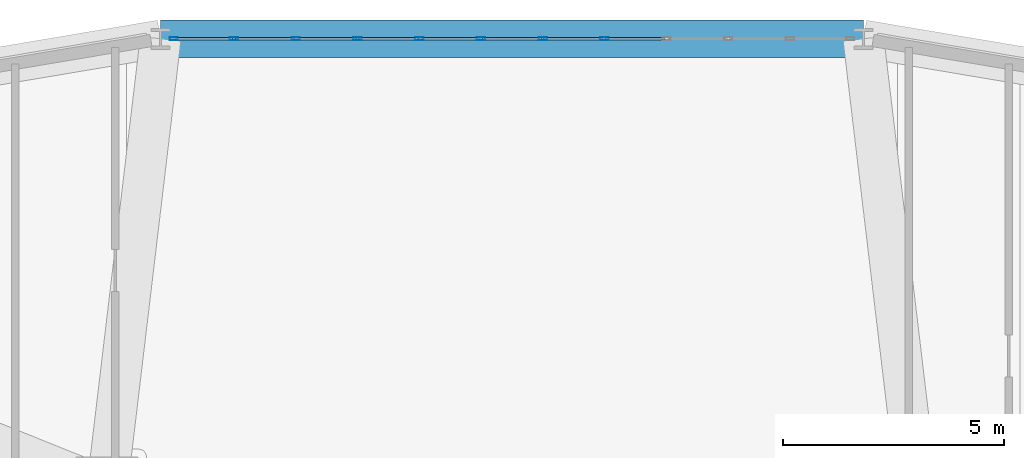
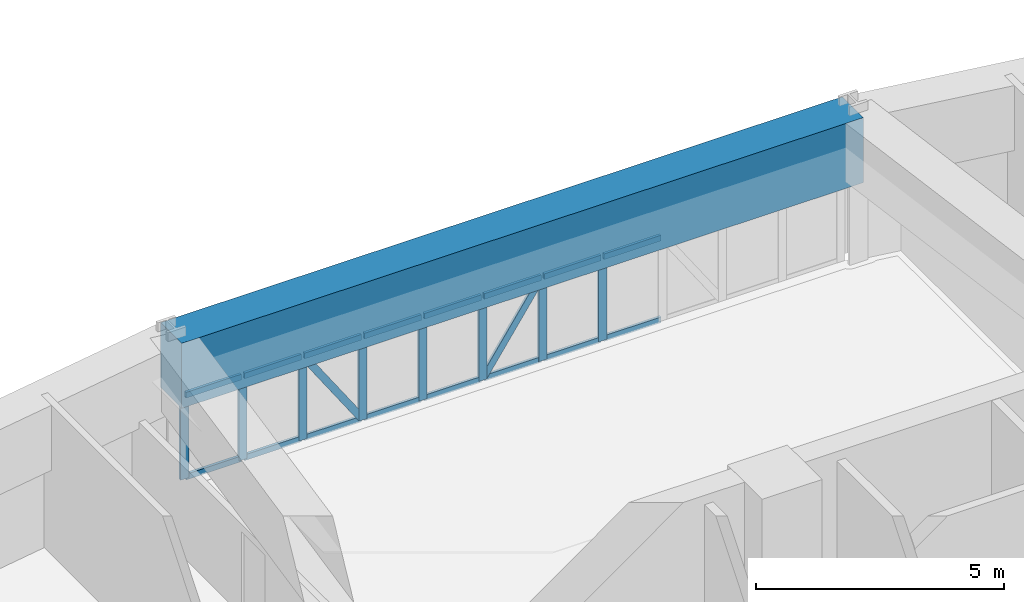
# One storey, part 11 of 20: 26 members, 1 beam, 1 element without a shape of its own.
"""IFC4 building model written with IfcOpenShell, lengths in metres."""

import ifcopenshell
import ifcopenshell.guid

model = None  # the IFC model being written
_history = None  # IfcOwnerHistory: only IFC2X3 demands one
_inside = {}  # id of a spatial element -> (the spatial element, [elements in it])
_under = {}  # id of a project, library or spatial element -> (it, [spatial elements below it])
_declared = {}  # id of a project -> (the project, [libraries it declares])
_typed = {}  # id of a type object -> (the type object, [elements of that type])
_made_of = {}  # id of a material, layer set ... -> (it, [elements and type objects made of it])


def new_model(schema):
    """Start an empty IFC model of exactly this schema.

    Asked for "IFC4X3", IfcOpenShell would pick the latest addendum, in which some entities
    have other attributes; the version numbers below select the first issue.
    IFC2X3 requires an IfcOwnerHistory on every rooted entity: one is made here for all.
    """
    global model, _history
    if schema == "IFC4X3":
        model = ifcopenshell.file(schema_version=(4, 3, 0, 0))
    else:
        model = ifcopenshell.file(schema=schema)
    _inside.clear()
    _under.clear()
    _declared.clear()
    _typed.clear()
    _made_of.clear()
    _history = None
    if model.schema == "IFC2X3":
        org = make("IfcOrganization", Name="unknown")
        user = make(
            "IfcPersonAndOrganization",
            ThePerson=make("IfcPerson", FamilyName="unknown"),
            TheOrganization=org,
        )
        app = make(
            "IfcApplication",
            ApplicationDeveloper=org,
            Version="unknown",
            ApplicationFullName="unknown",
            ApplicationIdentifier="unknown",
        )
        _history = make(
            "IfcOwnerHistory",
            OwningUser=user,
            OwningApplication=app,
            ChangeAction="ADDED",
            CreationDate=0,
        )
    return model


def make(cls, **values):
    """One entity of the class cls with the attributes given. An attribute that is None is left unset."""
    return model.create_entity(
        cls, **{name: value for name, value in values.items() if value is not None}
    )


def rooted(cls, **values):
    """An entity with a GlobalId (a new one), such as an element, a storey or a relation."""
    return make(cls, GlobalId=ifcopenshell.guid.new(), OwnerHistory=_history, **values)


def si_unit(unit_type, name, prefix=None):
    """IfcSIUnit, for example si_unit("LENGTHUNIT", "METRE", prefix="MILLI")."""
    return make("IfcSIUnit", UnitType=unit_type, Prefix=prefix, Name=name)


def derived_unit(unit_type, elements):
    """IfcDerivedUnit: a product of units, each with its exponent."""
    return make(
        "IfcDerivedUnit",
        Elements=[
            make("IfcDerivedUnitElement", Unit=unit, Exponent=power)
            for unit, power in elements
        ],
        UnitType=unit_type,
    )


def assignment(units):
    """IfcUnitAssignment: the units of a project."""
    return None if units is None else make("IfcUnitAssignment", Units=units)


def point(xyz):
    """IfcCartesianPoint."""
    return None if xyz is None else make("IfcCartesianPoint", Coordinates=xyz)


def direction(xyz):
    """IfcDirection."""
    return None if xyz is None else make("IfcDirection", DirectionRatios=xyz)


def frame(location, z_axis=None, x_axis=None):
    """IfcAxis2Placement3D, a coordinate frame: its origin and axes. An axis left out is left unset."""
    return make(
        "IfcAxis2Placement3D",
        Location=point(location),
        Axis=direction(z_axis),
        RefDirection=direction(x_axis),
    )


def frame_2d(location, x_axis=None):
    """IfcAxis2Placement2D, a coordinate frame in the plane: its origin and x axis."""
    return make(
        "IfcAxis2Placement2D", Location=point(location), RefDirection=direction(x_axis)
    )


def origin():
    """The frame at (0, 0, 0) with its axes left unset."""
    return frame((0.0, 0.0, 0.0))


def origin_2d():
    """The frame at (0, 0) in the plane with its x axis left unset."""
    return frame_2d((0.0, 0.0))


def place(relative_to, where):
    """IfcLocalPlacement: puts the frame where relative to a parent placement (None: the world)."""
    return make(
        "IfcLocalPlacement", PlacementRelTo=relative_to, RelativePlacement=where
    )


def context(
    kind, dimensions, precision=None, world=None, true_north=None, identifier=None
):
    """IfcGeometricRepresentationContext, for example the 3D "Model" context."""
    return make(
        "IfcGeometricRepresentationContext",
        ContextIdentifier=identifier,
        ContextType=kind,
        CoordinateSpaceDimension=dimensions,
        Precision=precision,
        WorldCoordinateSystem=world,
        TrueNorth=true_north,
    )


def subcontext(parent, identifier, kind, view, scale=None):
    """IfcGeometricRepresentationSubContext, for example "Body" below "Model"."""
    return make(
        "IfcGeometricRepresentationSubContext",
        ContextIdentifier=identifier,
        ContextType=kind,
        ParentContext=parent,
        TargetScale=scale,
        TargetView=view,
    )


def project(units=None, contexts=None):
    """IfcProject with its units and contexts."""
    return rooted(
        "IfcProject",
        Name="project",
        RepresentationContexts=contexts,
        UnitsInContext=assignment(units),
    )


def spatial(cls, under=None, at=None, **own):
    """A site, building, storey or space (cls), placed at a placement, below another one or the project."""
    s = rooted(cls, ObjectPlacement=at, **own)
    if under is not None:
        _under.setdefault(under.id(), (under, []))[1].append(s)
    return s


def profile(cls, at=None, kind="AREA", **sizes):
    """A parametric profile (cls). Its sizes go by their IFC names, for example OverallWidth=200.0."""
    return make(cls, ProfileType=kind, Position=at, **sizes)


def rectangle(**sizes):
    """IfcRectangleProfileDef."""
    return profile("IfcRectangleProfileDef", **sizes)


def hollow_rectangle(**sizes):
    """IfcRectangleHollowProfileDef."""
    return profile("IfcRectangleHollowProfileDef", **sizes)


def extrude(swept, where, along, depth):
    """IfcExtrudedAreaSolid: the profile swept, set in the frame where, extruded along a direction by depth."""
    return make(
        "IfcExtrudedAreaSolid",
        SweptArea=swept,
        Position=where,
        ExtrudedDirection=direction(along),
        Depth=depth,
    )


def shape(context_of_items, identifier, shape_type, items):
    """IfcShapeRepresentation: the items that make up one representation, for example the "Body"."""
    return make(
        "IfcShapeRepresentation",
        ContextOfItems=context_of_items,
        RepresentationIdentifier=identifier,
        RepresentationType=shape_type,
        Items=items,
    )


def source(mapping_origin, context_of_items, identifier, shape_type, items):
    """IfcRepresentationMap: a shape defined once, which mapped items show again and again."""
    return make(
        "IfcRepresentationMap",
        MappingOrigin=mapping_origin,
        MappedRepresentation=shape(context_of_items, identifier, shape_type, items),
    )


def transform(
    local_origin,
    x_axis=None,
    y_axis=None,
    z_axis=None,
    scale=None,
    scale2=None,
    scale3=None,
    uniform=True,
):
    """IfcCartesianTransformationOperator3D, or its non-uniform kind. x_axis, y_axis, z_axis: its Axis1, 2, 3."""
    if uniform:
        return make(
            "IfcCartesianTransformationOperator3D",
            Axis1=direction(x_axis),
            Axis2=direction(y_axis),
            LocalOrigin=point(local_origin),
            Scale=scale,
            Axis3=direction(z_axis),
        )
    return make(
        "IfcCartesianTransformationOperator3DnonUniform",
        Axis1=direction(x_axis),
        Axis2=direction(y_axis),
        LocalOrigin=point(local_origin),
        Scale=scale,
        Axis3=direction(z_axis),
        Scale2=scale2,
        Scale3=scale3,
    )


def mapped(mapping_source, mapping_target):
    """IfcMappedItem: shows the shape of a source again, moved by a transform."""
    return make(
        "IfcMappedItem", MappingSource=mapping_source, MappingTarget=mapping_target
    )


def material(Name=None, Category=None):
    """IfcMaterial."""
    return make("IfcMaterial", Name=Name, Category=Category)


def layer(
    of_material, thickness, ventilated=None, Name=None, Category=None, Priority=None
):
    """IfcMaterialLayer: one layer of a wall or slab, of a material (None: an air gap)."""
    return make(
        "IfcMaterialLayer",
        Material=of_material,
        LayerThickness=thickness,
        IsVentilated=ventilated,
        Name=Name,
        Category=Category,
        Priority=Priority,
    )


def layer_set(layers, Name=None):
    """IfcMaterialLayerSet."""
    return make("IfcMaterialLayerSet", MaterialLayers=layers, LayerSetName=Name)


def material_profile(
    of_material, cross_section, Name=None, Category=None, Priority=None
):
    """IfcMaterialProfile: a cross section and its material."""
    return make(
        "IfcMaterialProfile",
        Name=Name,
        Material=of_material,
        Profile=cross_section,
        Priority=Priority,
        Category=Category,
    )


def profile_set(profiles, Name=None, composite=None):
    """IfcMaterialProfileSet."""
    return make(
        "IfcMaterialProfileSet",
        Name=Name,
        MaterialProfiles=profiles,
        CompositeProfile=composite,
    )


def made_of(thing, what):
    """Note that an element or type object is made of a material, layer set ...; save() writes the relation."""
    if what is not None:
        _made_of.setdefault(what.id(), (what, []))[1].append(thing)
    return thing


def type_object(cls, material=None, **own):
    """A type object (cls), such as IfcWallType, which elements share."""
    return made_of(rooted(cls, **own), material)


def element(
    cls,
    number,
    at=None,
    inside=None,
    cuts=None,
    type_object=None,
    material=None,
    context=None,
    identifier="Body",
    shape_type=None,
    held_by="IfcProductDefinitionShape",
    body=None,
    shapes=None,
    **own,
):
    """One element of the class cls, such as IfcWall. Its Tag is "e" and its number.

    at: its placement. inside: the storey or other place that contains it. cuts: it is an
    opening in that element (IfcRelVoidsElement). A single representation is given by context,
    identifier, shape_type and body (its items); several are given by shapes. held_by: the class
    of the entity that holds the representations. save() writes the other relations.
    """
    e = rooted(cls, Tag="e%d" % number, ObjectPlacement=at, **own)
    if body is not None:
        shapes = [shape(context, identifier, shape_type, body)]
    if shapes is not None:
        e.Representation = make(held_by, Representations=shapes)
    if inside is not None:
        _inside.setdefault(inside.id(), (inside, []))[1].append(e)
    if cuts is not None:
        rooted(
            "IfcRelVoidsElement", RelatingBuildingElement=cuts, RelatedOpeningElement=e
        )
    if type_object is not None:
        _typed.setdefault(type_object.id(), (type_object, []))[1].append(e)
    return made_of(e, material)


def aggregate(whole, parts):
    """IfcRelAggregates: a whole, such as a stair, and the parts it consists of."""
    return rooted("IfcRelAggregates", RelatingObject=whole, RelatedObjects=parts)


def save(model, path):
    """Write the relations noted so far, then the file.

    IfcRelAggregates (storeys below a building ...), IfcRelContainedInSpatialStructure (elements
    in a storey), IfcRelDefinesByType, IfcRelAssociatesMaterial and IfcRelDeclares: one each for
    every whole, place, type object, material and project.
    """
    for whole, parts in _under.values():
        aggregate(whole, parts)
    for where, things in _inside.values():
        rooted(
            "IfcRelContainedInSpatialStructure",
            RelatedElements=things,
            RelatingStructure=where,
        )
    for kind, things in _typed.values():
        rooted("IfcRelDefinesByType", RelatedObjects=things, RelatingType=kind)
    for what, things in _made_of.values():
        rooted("IfcRelAssociatesMaterial", RelatedObjects=things, RelatingMaterial=what)
    for by, libraries in _declared.values():
        rooted("IfcRelDeclares", RelatingContext=by, RelatedDefinitions=libraries)
    model.write(path)


model = new_model("IFC4")

# Units and contexts
model_context = context("Model", 3, precision=1e-05, world=origin(), true_north=direction((0.0, 1.0)))
body_context = subcontext(model_context, "Body", "Model", "MODEL_VIEW")
ifc_project = project(units=[si_unit("LENGTHUNIT", "METRE"), si_unit("AREAUNIT", "SQUARE_METRE"), si_unit("VOLUMEUNIT", "CUBIC_METRE"), si_unit("PLANEANGLEUNIT", "RADIAN"), si_unit("MASSUNIT", "GRAM", prefix="KILO"), derived_unit("THERMALTRANSMITTANCEUNIT", [(si_unit("POWERUNIT", "WATT"), 1), (si_unit("LENGTHUNIT", "METRE"), -2), (si_unit("THERMODYNAMICTEMPERATUREUNIT", "KELVIN"), -1)])], contexts=[model_context])

# Site, building, storey
site_placement = place(None, origin())
site = spatial("IfcSite", under=ifc_project, at=site_placement, CompositionType="ELEMENT")
building_placement = place(site_placement, origin())
building = spatial("IfcBuilding", under=site, at=building_placement, Name="Korsvarv Bourse and Concert Hall", CompositionType="ELEMENT")
storey_placement = place(building_placement, frame((0.0, 0.0, 39.60009765625)))
storey = spatial("IfcBuildingStorey", under=building, at=storey_placement, Name="L09", CompositionType="ELEMENT", Elevation=39.60009765625)

# Beam
ifc_material_1 = material(Name="Concrete C55/67", Category="concrete")
ifc_material_profile_1 = material_profile(ifc_material_1, rectangle(XDim=0.85009765625, YDim=1.60009765625, at=origin_2d()), Name="RC-BM 850x1600")
ifc_profile_set_1 = profile_set([ifc_material_profile_1], Name="Concrete C55/67")
beam_type = type_object("IfcBeamType", Name="BM-TR1B", PredefinedType="BEAM", material=ifc_profile_set_1)
shared_shape_1 = source(origin(), body_context, "Body", "SweptSolid", [
    extrude(rectangle(XDim=0.85009765625, YDim=1.60009765625, at=origin_2d()), origin(), (0.0, 0.0, 1.0), 15.88232421875),
])
beam_placement = place(storey_placement, frame((43.941162109375, 57.401611328125, 2.8798828125), z_axis=(-1.0, 0.0, 0.0), x_axis=(0.0, -1.0, 0.0)))
element("IfcBeam", 1, at=beam_placement, inside=storey, type_object=beam_type, Name="L09 beam B-TR2", PredefinedType="BEAM", context=body_context, shape_type="MappedRepresentation", body=[
    mapped(shared_shape_1, transform((0.0, 0.0, 0.0), scale=1.0)),
])

# Curtain wall, members
ifc_material_2 = material(Name="Anodised aluminium and triple low-E glazing", Category="glass")
ifc_layer = layer(ifc_material_2, 0.219970703125)
ifc_layer_set = layer_set([ifc_layer], Name="Anodised aluminium and triple low-E glazing")
curtain_wall_type = type_object("IfcCurtainWallType", Name="CW-SYS-1", PredefinedType="NOTDEFINED", material=ifc_layer_set)
curtain_wall_placement = place(storey_placement, origin())
curtain_wall = element("IfcCurtainWall", 2, at=curtain_wall_placement, inside=storey, type_object=curtain_wall_type, Name="L09 CW1 curtain wall CW-L09-F03", PredefinedType="NOTDEFINED")
ifc_material_3 = material(Name="Extruded aluminium EN AW-6063 T66", Category="aluminium")
ifc_material_profile_2 = material_profile(ifc_material_3, hollow_rectangle(XDim=0.070068359375, YDim=0.18994140625, WallThickness=0.0048828125, at=origin_2d()), Name="ALU-M 70x190")
ifc_profile_set_2 = profile_set([ifc_material_profile_2], Name="Extruded aluminium EN AW-6063 T66")
member_type_1 = type_object("IfcMemberType", Name="CWM-190", PredefinedType="MULLION", material=ifc_profile_set_2)
shared_shape_2 = source(origin(), body_context, "Body", "SweptSolid", [
    extrude(hollow_rectangle(XDim=0.070068359375, YDim=0.18994140625, WallThickness=0.0048828125, at=origin_2d()), origin(), (0.0, 0.0, 1.0), 2.079833984375),
])
member_1_placement = place(storey_placement, frame((38.09423828125, 57.401611328125, 0.0), z_axis=(0.0, 0.0, 1.0), x_axis=(0.0, -1.0, 0.0)))
member_1 = element("IfcMember", 3, at=member_1_placement, type_object=member_type_1, Name="CW1 mullion 5", PredefinedType="MULLION", context=body_context, shape_type="MappedRepresentation", body=[
    mapped(shared_shape_2, transform((0.0, 0.0, 0.0), scale=1.0)),
])
member_2_placement = place(storey_placement, frame((36.697998046875, 57.401611328125, 0.0), z_axis=(0.0, 0.0, 1.0), x_axis=(0.0, -1.0, 0.0)))
member_2 = element("IfcMember", 4, at=member_2_placement, type_object=member_type_1, Name="CW1 mullion 6", PredefinedType="MULLION", context=body_context, shape_type="MappedRepresentation", body=[
    mapped(shared_shape_2, transform((0.0, 0.0, 0.0), scale=1.0)),
])
member_3_placement = place(storey_placement, frame((35.302001953125, 57.401611328125, 0.0), z_axis=(0.0, 0.0, 1.0), x_axis=(0.0, -1.0, 0.0)))
member_3 = element("IfcMember", 5, at=member_3_placement, type_object=member_type_1, Name="CW1 mullion 7", PredefinedType="MULLION", context=body_context, shape_type="MappedRepresentation", body=[
    mapped(shared_shape_2, transform((0.0, 0.0, 0.0), scale=1.0)),
])
member_4_placement = place(storey_placement, frame((33.90576171875, 57.401611328125, 0.0), z_axis=(0.0, 0.0, 1.0), x_axis=(0.0, -1.0, 0.0)))
member_4 = element("IfcMember", 6, at=member_4_placement, type_object=member_type_1, Name="CW1 mullion 8", PredefinedType="MULLION", context=body_context, shape_type="MappedRepresentation", body=[
    mapped(shared_shape_2, transform((0.0, 0.0, 0.0), scale=1.0)),
])
member_5_placement = place(storey_placement, frame((32.509521484375, 57.401611328125, 0.0), z_axis=(0.0, 0.0, 1.0), x_axis=(0.0, -1.0, 0.0)))
member_5 = element("IfcMember", 7, at=member_5_placement, type_object=member_type_1, Name="CW1 mullion 9", PredefinedType="MULLION", context=body_context, shape_type="MappedRepresentation", body=[
    mapped(shared_shape_2, transform((0.0, 0.0, 0.0), scale=1.0)),
])
member_6_placement = place(storey_placement, frame((31.11328125, 57.401611328125, 0.0), z_axis=(0.0, 0.0, 1.0), x_axis=(0.0, -1.0, 0.0)))
member_6 = element("IfcMember", 8, at=member_6_placement, type_object=member_type_1, Name="CW1 mullion 10", PredefinedType="MULLION", context=body_context, shape_type="MappedRepresentation", body=[
    mapped(shared_shape_2, transform((0.0, 0.0, 0.0), scale=1.0)),
])
member_7_placement = place(storey_placement, frame((29.717041015625, 57.401611328125, 0.0), z_axis=(0.0, 0.0, 1.0), x_axis=(0.0, -1.0, 0.0)))
member_7 = element("IfcMember", 9, at=member_7_placement, type_object=member_type_1, Name="CW1 mullion 11", PredefinedType="MULLION", context=body_context, shape_type="MappedRepresentation", body=[
    mapped(shared_shape_2, transform((0.0, 0.0, 0.0), scale=1.0)),
])
member_8_placement = place(storey_placement, frame((28.35595703125, 57.401611328125, 0.0), z_axis=(0.0, 0.0, 1.0), x_axis=(0.0, -1.0, 0.0)))
member_8 = element("IfcMember", 10, at=member_8_placement, type_object=member_type_1, Name="CW1 mullion 12", PredefinedType="MULLION", context=body_context, shape_type="MappedRepresentation", body=[
    mapped(shared_shape_2, transform((0.0, 0.0, 0.0), scale=1.0)),
])
ifc_material_profile_3 = material_profile(ifc_material_3, hollow_rectangle(XDim=0.06494140625, YDim=0.139892578125, WallThickness=0.00390625, at=origin_2d()), Name="ALU-T 65x140")
ifc_profile_set_3 = profile_set([ifc_material_profile_3], Name="Extruded aluminium EN AW-6063 T66")
member_type_2 = type_object("IfcMemberType", Name="CWT-140", PredefinedType="USERDEFINED", material=ifc_profile_set_3)
shared_shape_3 = source(origin(), body_context, "Body", "SweptSolid", [
    extrude(hollow_rectangle(XDim=0.06494140625, YDim=0.139892578125, WallThickness=0.00390625, at=origin_2d()), origin(), (0.0, 0.0, 1.0), 1.291259765625),
])
member_9_placement = place(storey_placement, frame((29.68212890625, 57.401611328125, 0.032470703125), z_axis=(-1.0, 0.0, 0.0), x_axis=(0.0, -1.0, 0.0)))
member_9 = element("IfcMember", 11, at=member_9_placement, type_object=member_type_2, Name="CW1 transom 11.1", ObjectType="TRANSOM", PredefinedType="USERDEFINED", context=body_context, shape_type="MappedRepresentation", body=[
    mapped(shared_shape_3, transform((0.0, 0.0, 0.0), scale=1.0)),
])
member_10_placement = place(storey_placement, frame((29.68212890625, 57.401611328125, 2.04736328125), z_axis=(-1.0, 0.0, 0.0), x_axis=(0.0, -1.0, 0.0)))
member_10 = element("IfcMember", 12, at=member_10_placement, type_object=member_type_2, Name="CW1 transom 11.2", ObjectType="TRANSOM", PredefinedType="USERDEFINED", context=body_context, shape_type="MappedRepresentation", body=[
    mapped(shared_shape_3, transform((0.0, 0.0, 0.0), scale=1.0)),
])
shared_shape_4 = source(origin(), body_context, "Body", "SweptSolid", [
    extrude(hollow_rectangle(XDim=0.06494140625, YDim=0.139892578125, WallThickness=0.00390625, at=origin_2d()), origin(), (0.0, 0.0, 1.0), 1.326171875),
])
member_11_placement = place(storey_placement, frame((39.45556640625, 57.401611328125, 0.032470703125), z_axis=(-1.0, 0.0, 0.0), x_axis=(0.0, -1.0, 0.0)))
member_11 = element("IfcMember", 13, at=member_11_placement, type_object=member_type_2, Name="CW1 transom 4.1", ObjectType="TRANSOM", PredefinedType="USERDEFINED", context=body_context, shape_type="MappedRepresentation", body=[
    mapped(shared_shape_4, transform((0.0, 0.0, 0.0), scale=1.0)),
])
member_12_placement = place(storey_placement, frame((39.45556640625, 57.401611328125, 2.04736328125), z_axis=(-1.0, 0.0, 0.0), x_axis=(0.0, -1.0, 0.0)))
member_12 = element("IfcMember", 14, at=member_12_placement, type_object=member_type_2, Name="CW1 transom 4.2", ObjectType="TRANSOM", PredefinedType="USERDEFINED", context=body_context, shape_type="MappedRepresentation", body=[
    mapped(shared_shape_4, transform((0.0, 0.0, 0.0), scale=1.0)),
])
member_13_placement = place(storey_placement, frame((38.059326171875, 57.401611328125, 0.032470703125), z_axis=(-1.0, 0.0, 0.0), x_axis=(0.0, -1.0, 0.0)))
member_13 = element("IfcMember", 15, at=member_13_placement, type_object=member_type_2, Name="CW1 transom 5.1", ObjectType="TRANSOM", PredefinedType="USERDEFINED", context=body_context, shape_type="MappedRepresentation", body=[
    mapped(shared_shape_4, transform((0.0, 0.0, 0.0), scale=1.0)),
])
member_14_placement = place(storey_placement, frame((38.059326171875, 57.401611328125, 2.04736328125), z_axis=(-1.0, 0.0, 0.0), x_axis=(0.0, -1.0, 0.0)))
member_14 = element("IfcMember", 16, at=member_14_placement, type_object=member_type_2, Name="CW1 transom 5.2", ObjectType="TRANSOM", PredefinedType="USERDEFINED", context=body_context, shape_type="MappedRepresentation", body=[
    mapped(shared_shape_4, transform((0.0, 0.0, 0.0), scale=1.0)),
])
member_15_placement = place(storey_placement, frame((36.6630859375, 57.401611328125, 0.032470703125), z_axis=(-1.0, 0.0, 0.0), x_axis=(0.0, -1.0, 0.0)))
member_15 = element("IfcMember", 17, at=member_15_placement, type_object=member_type_2, Name="CW1 transom 6.1", ObjectType="TRANSOM", PredefinedType="USERDEFINED", context=body_context, shape_type="MappedRepresentation", body=[
    mapped(shared_shape_4, transform((0.0, 0.0, 0.0), scale=1.0)),
])
member_16_placement = place(storey_placement, frame((36.6630859375, 57.401611328125, 2.04736328125), z_axis=(-1.0, 0.0, 0.0), x_axis=(0.0, -1.0, 0.0)))
member_16 = element("IfcMember", 18, at=member_16_placement, type_object=member_type_2, Name="CW1 transom 6.2", ObjectType="TRANSOM", PredefinedType="USERDEFINED", context=body_context, shape_type="MappedRepresentation", body=[
    mapped(shared_shape_4, transform((0.0, 0.0, 0.0), scale=1.0)),
])
member_17_placement = place(storey_placement, frame((35.266845703125, 57.401611328125, 0.032470703125), z_axis=(-1.0, 0.0, 0.0), x_axis=(0.0, -1.0, 0.0)))
member_17 = element("IfcMember", 19, at=member_17_placement, type_object=member_type_2, Name="CW1 transom 7.1", ObjectType="TRANSOM", PredefinedType="USERDEFINED", context=body_context, shape_type="MappedRepresentation", body=[
    mapped(shared_shape_4, transform((0.0, 0.0, 0.0), scale=1.0)),
])
member_18_placement = place(storey_placement, frame((35.266845703125, 57.401611328125, 2.04736328125), z_axis=(-1.0, 0.0, 0.0), x_axis=(0.0, -1.0, 0.0)))
member_18 = element("IfcMember", 20, at=member_18_placement, type_object=member_type_2, Name="CW1 transom 7.2", ObjectType="TRANSOM", PredefinedType="USERDEFINED", context=body_context, shape_type="MappedRepresentation", body=[
    mapped(shared_shape_4, transform((0.0, 0.0, 0.0), scale=1.0)),
])
member_19_placement = place(storey_placement, frame((33.87060546875, 57.401611328125, 0.032470703125), z_axis=(-1.0, 0.0, 0.0), x_axis=(0.0, -1.0, 0.0)))
member_19 = element("IfcMember", 21, at=member_19_placement, type_object=member_type_2, Name="CW1 transom 8.1", ObjectType="TRANSOM", PredefinedType="USERDEFINED", context=body_context, shape_type="MappedRepresentation", body=[
    mapped(shared_shape_4, transform((0.0, 0.0, 0.0), scale=1.0)),
])
member_20_placement = place(storey_placement, frame((33.87060546875, 57.401611328125, 2.04736328125), z_axis=(-1.0, 0.0, 0.0), x_axis=(0.0, -1.0, 0.0)))
member_20 = element("IfcMember", 22, at=member_20_placement, type_object=member_type_2, Name="CW1 transom 8.2", ObjectType="TRANSOM", PredefinedType="USERDEFINED", context=body_context, shape_type="MappedRepresentation", body=[
    mapped(shared_shape_4, transform((0.0, 0.0, 0.0), scale=1.0)),
])
member_21_placement = place(storey_placement, frame((31.078369140625, 57.401611328125, 0.032470703125), z_axis=(-1.0, 0.0, 0.0), x_axis=(0.0, -1.0, 0.0)))
member_21 = element("IfcMember", 23, at=member_21_placement, type_object=member_type_2, Name="CW1 transom 10.1", ObjectType="TRANSOM", PredefinedType="USERDEFINED", context=body_context, shape_type="MappedRepresentation", body=[
    mapped(shared_shape_4, transform((0.0, 0.0, 0.0), scale=1.0)),
])
member_22_placement = place(storey_placement, frame((31.078369140625, 57.401611328125, 2.04736328125), z_axis=(-1.0, 0.0, 0.0), x_axis=(0.0, -1.0, 0.0)))
member_22 = element("IfcMember", 24, at=member_22_placement, type_object=member_type_2, Name="CW1 transom 10.2", ObjectType="TRANSOM", PredefinedType="USERDEFINED", context=body_context, shape_type="MappedRepresentation", body=[
    mapped(shared_shape_4, transform((0.0, 0.0, 0.0), scale=1.0)),
])
shared_shape_5 = source(origin(), body_context, "Body", "SweptSolid", [
    extrude(hollow_rectangle(XDim=0.06494140625, YDim=0.139892578125, WallThickness=0.00390625, at=origin_2d()), origin(), (0.0, 0.0, 1.0), 1.326416015625),
])
member_23_placement = place(storey_placement, frame((32.474609375, 57.401611328125, 0.032470703125), z_axis=(-1.0, 0.0, 0.0), x_axis=(0.0, -1.0, 0.0)))
member_23 = element("IfcMember", 25, at=member_23_placement, type_object=member_type_2, Name="CW1 transom 9.1", ObjectType="TRANSOM", PredefinedType="USERDEFINED", context=body_context, shape_type="MappedRepresentation", body=[
    mapped(shared_shape_5, transform((0.0, 0.0, 0.0), scale=1.0)),
])
member_24_placement = place(storey_placement, frame((32.474609375, 57.401611328125, 2.04736328125), z_axis=(-1.0, 0.0, 0.0), x_axis=(0.0, -1.0, 0.0)))
member_24 = element("IfcMember", 26, at=member_24_placement, type_object=member_type_2, Name="CW1 transom 9.2", ObjectType="TRANSOM", PredefinedType="USERDEFINED", context=body_context, shape_type="MappedRepresentation", body=[
    mapped(shared_shape_5, transform((0.0, 0.0, 0.0), scale=1.0)),
])
ifc_material_profile_4 = material_profile(ifc_material_3, hollow_rectangle(XDim=0.06494140625, YDim=0.1650390625, WallThickness=0.0048828125, at=origin_2d()), Name="ALU-M 65x165")
ifc_profile_set_4 = profile_set([ifc_material_profile_4], Name="Extruded aluminium EN AW-6063 T66")
member_type_3 = type_object("IfcMemberType", Name="CWM-165", PredefinedType="MULLION", material=ifc_profile_set_4)
shared_shape_6 = source(origin(), body_context, "Body", "SweptSolid", [
    extrude(hollow_rectangle(XDim=0.06494140625, YDim=0.1650390625, WallThickness=0.0048828125, at=origin_2d()), origin(), (0.0, 0.0, 1.0), 2.3583984375),
])
member_25_placement = place(storey_placement, frame((32.474609375, 57.401611328125, 0.06494140625), z_axis=(-0.562440267615, 0.0, 0.826837919647), x_axis=(0.0, -1.0, 0.0)))
member_25 = element("IfcMember", 27, at=member_25_placement, type_object=member_type_3, Name="CW1 diagonal mullion 9", PredefinedType="MULLION", context=body_context, shape_type="MappedRepresentation", body=[
    mapped(shared_shape_6, transform((0.0, 0.0, 0.0), scale=1.0)),
])
shared_shape_7 = source(origin(), body_context, "Body", "SweptSolid", [
    extrude(hollow_rectangle(XDim=0.06494140625, YDim=0.1650390625, WallThickness=0.0048828125, at=origin_2d()), origin(), (0.0, 0.0, 1.0), 2.358154296875),
])
member_26_placement = place(storey_placement, frame((35.3369140625, 57.401611328125, 0.06494140625), z_axis=(0.562369486825, 0.0, 0.826886062458), x_axis=(0.0, 1.0, 0.0)))
member_26 = element("IfcMember", 28, at=member_26_placement, type_object=member_type_3, Name="CW1 diagonal mullion 6", PredefinedType="MULLION", context=body_context, shape_type="MappedRepresentation", body=[
    mapped(shared_shape_7, transform((0.0, 0.0, 0.0), scale=1.0)),
])
aggregate(curtain_wall, [member_1, member_2, member_3, member_4, member_5, member_6, member_7, member_8, member_11, member_12, member_13, member_14, member_15, member_16, member_26, member_17, member_18, member_19, member_20, member_23, member_24, member_25, member_21, member_22, member_9, member_10])

save(model, "model.ifc")
